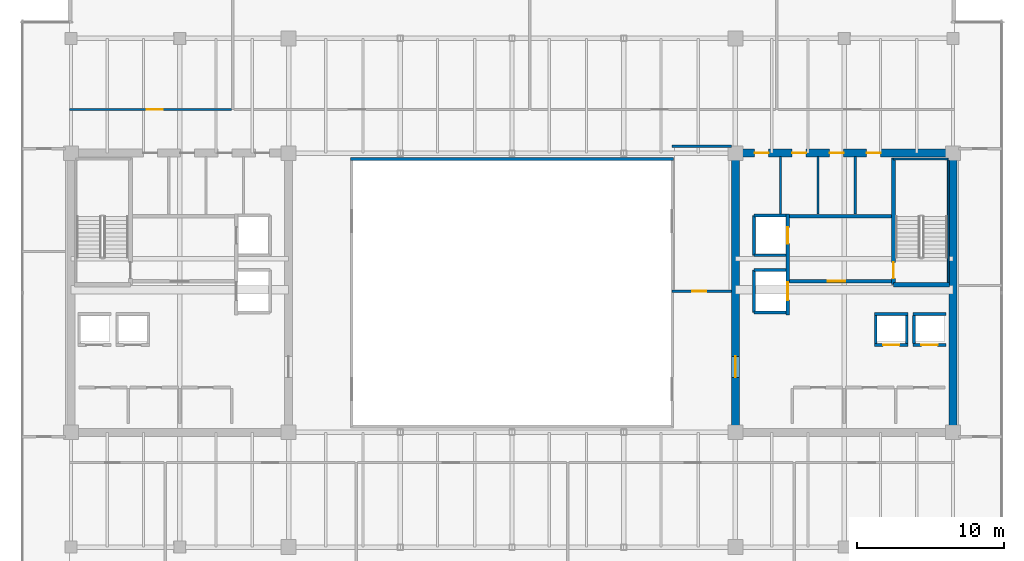
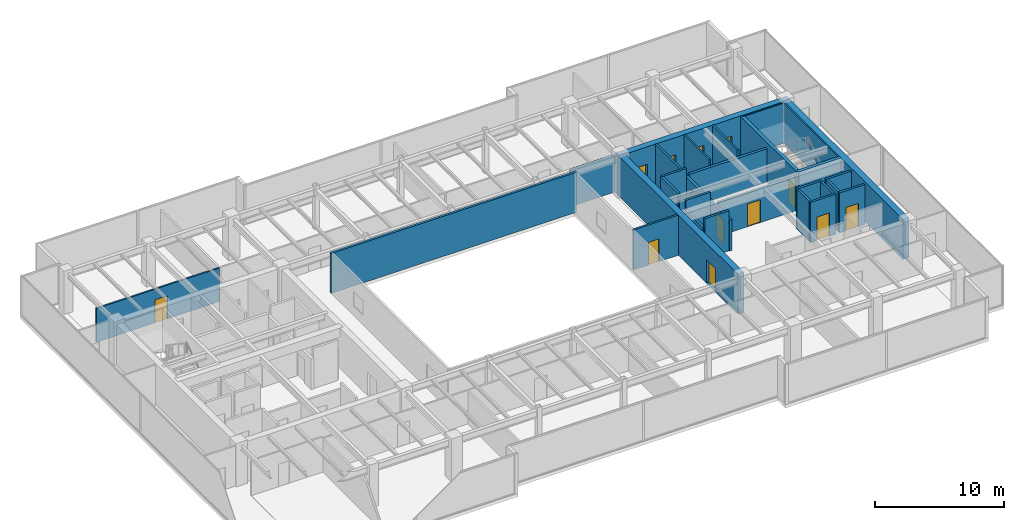
# One storey, part 30 of 35: 30 walls, 13 doors, 13 openings.
"""IFC4 building model written with IfcOpenShell, lengths in metres."""

from ifc_helpers import new_model, si_unit, direction, frame, frame_2d, origin, place, context, subcontext, project, spatial, rectangle, extrude, source, transform, mapped, material, layer, layer_set, type_object, type_shapes, element, fill, save


model = new_model("IFC4")

# Units and contexts
model_context = context("Model", 3, precision=1e-05, world=origin(), true_north=direction((0.0, 1.0)))
body_context = subcontext(model_context, "Body", "Model", "MODEL_VIEW")
ifc_project = project(units=[si_unit("LENGTHUNIT", "METRE"), si_unit("AREAUNIT", "SQUARE_METRE"), si_unit("VOLUMEUNIT", "CUBIC_METRE"), si_unit("PLANEANGLEUNIT", "RADIAN"), si_unit("MASSUNIT", "GRAM", prefix="KILO")], contexts=[model_context])

# Site, building, storey
site_placement = place(None, origin())
site = spatial("IfcSite", under=ifc_project, at=site_placement, CompositionType="ELEMENT")
building_placement = place(site_placement, origin())
building = spatial("IfcBuilding", under=site, at=building_placement, Name="Haelvirn Gate Laboratories", CompositionType="ELEMENT")
storey_placement = place(building_placement, frame((0.0, 0.0, 226.0)))
storey = spatial("IfcBuildingStorey", under=building, at=storey_placement, Name="L54", CompositionType="ELEMENT", Elevation=226.0)

# Wall
ifc_material_1 = material(Name="Fire-rated acoustic gypsum board partition", Category="gypsum")
ifc_layer_1 = layer(ifc_material_1, 0.175048828125, Name="IW-ACOUST-180")
ifc_layer_set_1 = layer_set([ifc_layer_1], Name="Fire-rated acoustic gypsum board partition")
wall_type_1 = type_object("IfcWallType", Name="IW-ACOUST-180", PredefinedType="PARTITIONING", material=ifc_layer_set_1)
wall_1_placement = place(storey_placement, frame((48.300048828125, 34.260009765625, 0.0), z_axis=(0.0, 0.0, 1.0), x_axis=(1.0, 0.0, 0.0)))
element("IfcWall", 1, at=wall_1_placement, inside=storey, type_object=wall_type_1, Name="L54 Interior Wall IW-L54-EPOD-N", PredefinedType="PARTITIONING", context=body_context, shape_type="SweptSolid", body=[
    extrude(rectangle(XDim=4.02490234375, YDim=0.175048828125, at=frame_2d((2.012451171875, 0.0))), origin(), (0.0, 0.0, 1.0), 3.485107421875),
])

# Wall, opening, door
wall_2_placement = place(storey_placement, frame((48.300048828125, 24.39990234375, 0.0), z_axis=(0.0, 0.0, 1.0), x_axis=(1.0, 0.0, 0.0)))
wall_2 = element("IfcWall", 2, at=wall_2_placement, inside=storey, type_object=wall_type_1, Name="L54 Interior Wall IW-L54-EPOD-S", PredefinedType="PARTITIONING", context=body_context, shape_type="SweptSolid", body=[
    extrude(rectangle(XDim=4.02490234375, YDim=0.175048828125, at=frame_2d((2.012451171875, 0.0))), origin(), (0.0, 0.0, 1.0), 3.800048828125),
])
opening_1_placement = place(wall_2_placement, frame((1.35009765625, 0.0, 0.0)))
opening_1 = element("IfcOpeningElement", 3, at=opening_1_placement, cuts=wall_2, Name="Opening FD4", PredefinedType="OPENING", context=body_context, shape_type="SweptSolid", body=[
    extrude(rectangle(XDim=0.949951171875, YDim=2.14990234375, at=frame_2d((0.47509765625, 1.074951171875))), frame((0.0, 0.09765625, 0.0), z_axis=(0.0, -1.0, 0.0), x_axis=(1.0, 0.0, 0.0)), (0.0, 0.0, 1.0), 0.195068359375),
])
ifc_material_2 = material(Name="Fire-rated steel SM355 core service door", Category="steel")
door_type_1 = type_object("IfcDoorType", Name="DR-FD-950", OperationType="NOTDEFINED", PredefinedType="DOOR", material=ifc_material_2)
shared_shape_1 = source(origin(), body_context, "Body", "SweptSolid", [
    extrude(rectangle(XDim=0.949951171875, YDim=2.14990234375, at=frame_2d((0.47509765625, 1.074951171875))), frame((0.0, 0.02490234375, 0.0), z_axis=(0.0, -1.0, 0.0), x_axis=(1.0, 0.0, 0.0)), (0.0, 0.0, 1.0), 0.050048828125),
])
type_shapes(door_type_1, [shared_shape_1])
door_1_placement = place(opening_1_placement, origin())
door_1 = element("IfcDoor", 4, at=door_1_placement, inside=storey, type_object=door_type_1, Name="L54 High-Zone Collaboration Suite Door", OperationType="SINGLE_SWING_LEFT", OverallHeight=2.14990234375, OverallWidth=0.949951171875, PredefinedType="DOOR", context=body_context, shape_type="MappedRepresentation", body=[
    mapped(shared_shape_1, transform((0.0, 0.0, 0.0), scale=1.0)),
])
fill(opening_1, door_1)

# Wall
ifc_material_3 = material(Name="Tempered fire-rated borosilicate glass & anodised aluminium", Category="aluminium")
ifc_layer_2 = layer(ifc_material_3, 0.195068359375, Name="IW-GLAZ-200")
ifc_layer_set_2 = layer_set([ifc_layer_2], Name="Tempered fire-rated borosilicate glass & anodised aluminium")
wall_type_2 = type_object("IfcWallType", Name="IW-GLAZ-200", PredefinedType="SOLIDWALL", material=ifc_layer_set_2)
wall_3_placement = place(storey_placement, frame((26.39990234375, 33.39990234375, 0.0), z_axis=(0.0, 0.0, 1.0), x_axis=(1.0, 0.0, 0.0)))
element("IfcWall", 5, at=wall_3_placement, inside=storey, type_object=wall_type_2, Name="L54 Interior Wall IW-L54-ATRIUM-N", PredefinedType="SOLIDWALL", context=body_context, shape_type="SweptSolid", body=[
    extrude(rectangle(XDim=22.0, YDim=0.195068359375, at=frame_2d((11.0, 0.0))), origin(), (0.0, 0.0, 1.0), 3.800048828125),
])

# Wall, opening, door
ifc_material_4 = material(Name="Acoustic mineral-wool gypsum board partition", Category="gypsum")
ifc_layer_3 = layer(ifc_material_4, 0.139892578125, Name="IW-PART-140")
ifc_layer_set_3 = layer_set([ifc_layer_3], Name="Acoustic mineral-wool gypsum board partition")
wall_type_3 = type_object("IfcWallType", Name="IW-PART-140", PredefinedType="PARTITIONING", material=ifc_layer_set_3)
wall_4_placement = place(storey_placement, frame((7.31005859375, 36.760009765625, 0.0), z_axis=(0.0, 0.0, 1.0), x_axis=(1.0, 0.0, 0.0)))
wall_4 = element("IfcWall", 6, at=wall_4_placement, inside=storey, type_object=wall_type_3, Name="L54 Interior Wall IW-L54-NCORR-01", PredefinedType="PARTITIONING", context=body_context, shape_type="SweptSolid", body=[
    extrude(rectangle(XDim=11.010009765625, YDim=0.139892578125, at=frame_2d((5.5048828125, 0.0))), origin(), (0.0, 0.0, 1.0), 3.197021484375),
])
opening_2_placement = place(wall_4_placement, frame((5.231201171875, 0.0, 0.0)))
opening_2 = element("IfcOpeningElement", 7, at=opening_2_placement, cuts=wall_4, Name="Opening D1", PredefinedType="OPENING", context=body_context, shape_type="SweptSolid", body=[
    extrude(rectangle(XDim=1.10009765625, YDim=2.179931640625, at=frame_2d((0.550048828125, 1.08984375))), frame((0.0, 0.080078125, 0.0), z_axis=(0.0, -1.0, 0.0), x_axis=(1.0, 0.0, 0.0)), (0.0, 0.0, 1.0), 0.159912109375),
])
ifc_material_5 = material(Name="Vision-panel acoustic solid-core timber lab door", Category="wood")
door_type_2 = type_object("IfcDoorType", Name="DR-LAB-1100", OperationType="NOTDEFINED", PredefinedType="DOOR", material=ifc_material_5)
shared_shape_2 = source(origin(), body_context, "Body", "SweptSolid", [
    extrude(rectangle(XDim=1.10009765625, YDim=2.179931640625, at=frame_2d((0.550048828125, 1.08984375))), frame((0.0, 0.02490234375, 0.0), z_axis=(0.0, -1.0, 0.0), x_axis=(1.0, 0.0, 0.0)), (0.0, 0.0, 1.0), 0.050048828125),
])
type_shapes(door_type_2, [shared_shape_2])
door_2_placement = place(opening_2_placement, origin())
door_2 = element("IfcDoor", 8, at=door_2_placement, inside=storey, type_object=door_type_2, Name="L54 Colloquium Conference Room Door N1", OperationType="SINGLE_SWING_RIGHT", OverallHeight=2.179931640625, OverallWidth=1.10009765625, PredefinedType="DOOR", context=body_context, shape_type="MappedRepresentation", body=[
    mapped(shared_shape_2, transform((0.0, 0.0, 0.0), scale=1.0)),
])
fill(opening_2, door_2)

# Walls
ifc_material_6 = material(Name="Cement-board restroom plumbing chase wall", Category="gypsum")
ifc_layer_4 = layer(ifc_material_6, 0.155029296875, Name="IW-PLUMB-160")
ifc_layer_set_4 = layer_set([ifc_layer_4], Name="Cement-board restroom plumbing chase wall")
wall_type_4 = type_object("IfcWallType", Name="IW-PLUMB-160", PredefinedType="PLUMBINGWALL", material=ifc_layer_set_4)
for number, where, z_axis, x_axis, name in (
    (9, (60.760009765625, 29.64990234375, 0.0), (0.0, 0.0, 1.0), (0.0, 1.0, 0.0), "L54 Interior Wall IW-L54-E-CDIV-1"),
    (10, (58.2099609375, 29.64990234375, 0.0), (0.0, 0.0, 1.0), (0.0, 1.0, 0.0), "L54 Interior Wall IW-L54-E-CDIV-2"),
    (11, (55.659912109375, 29.64990234375, 0.0), (0.0, 0.0, 1.0), (0.0, 1.0, 0.0), "L54 Interior Wall IW-L54-E-CDIV-3"),
):
    element("IfcWall", number, at=place(storey_placement, frame(where, z_axis=z_axis, x_axis=x_axis)), inside=storey, type_object=wall_type_4, Name=name, PredefinedType="PLUMBINGWALL", context=body_context, shape_type="SweptSolid", body=[
        extrude(rectangle(XDim=3.93017578125, YDim=0.155029296875, at=frame_2d((1.965087890625, 0.0))), origin(), (0.0, 0.0, 1.0), 3.800048828125),
    ])
ifc_material_7 = material(Name="Concrete C40/50", Category="concrete")
ifc_layer_5 = layer(ifc_material_7, 0.179931640625, Name="IW-SHAFT-180")
ifc_layer_set_5 = layer_set([ifc_layer_5], Name="Concrete C40/50")
wall_type_5 = type_object("IfcWallType", Name="IW-SHAFT-180", PredefinedType="SOLIDWALL", material=ifc_layer_set_5)
for number, where, z_axis, x_axis, name in (
    (12, (64.75, 20.85009765625, 0.0), (0.0, 0.0, 1.0), (0.0, 1.0, 0.0), "L54 Interior Wall IW-L54-PL11-SD"),
    (13, (62.14990234375, 20.85009765625, 0.0), (0.0, 0.0, 1.0), (0.0, 1.0, 0.0), "L54 Interior Wall IW-L54-PL12-SD"),
    (14, (64.25, 20.85009765625, 0.0), (0.0, 0.0, 1.0), (0.0, 1.0, 0.0), "L54 Interior Wall IW-L54-PL12-SDE"),
):
    element("IfcWall", number, at=place(storey_placement, frame(where, z_axis=z_axis, x_axis=x_axis)), inside=storey, type_object=wall_type_5, Name=name, PredefinedType="SOLIDWALL", context=body_context, shape_type="SweptSolid", body=[
        extrude(rectangle(XDim=1.89990234375, YDim=0.179931640625, at=frame_2d((0.949951171875, 0.0))), origin(), (0.0, 0.0, 1.0), 3.800048828125),
    ])

# Wall, opening, door
ifc_layer_6 = layer(ifc_material_7, 0.199951171875, Name="IW-SHAFT-200")
ifc_layer_set_6 = layer_set([ifc_layer_6], Name="Concrete C40/50")
wall_type_6 = type_object("IfcWallType", Name="IW-SHAFT-200", PredefinedType="SOLIDWALL", material=ifc_layer_set_6)
wall_5_placement = place(storey_placement, frame((64.669921875, 20.75, 0.0), z_axis=(0.0, 0.0, 1.0), x_axis=(1.0, 0.0, 0.0)))
wall_5 = element("IfcWall", 15, at=wall_5_placement, inside=storey, type_object=wall_type_6, Name="L54 Interior Wall IW-L54-PL11-FR", PredefinedType="SOLIDWALL", context=body_context, shape_type="SweptSolid", body=[
    extrude(rectangle(XDim=2.260009765625, YDim=0.199951171875, at=frame_2d((1.1298828125, 0.0))), origin(), (0.0, 0.0, 1.0), 3.800048828125),
])
opening_3_placement = place(wall_5_placement, frame((0.580078125, 0.0, 0.0)))
opening_3 = element("IfcOpeningElement", 16, at=opening_3_placement, cuts=wall_5, Name="Opening LD2", PredefinedType="OPENING", context=body_context, shape_type="SweptSolid", body=[
    extrude(rectangle(XDim=1.10009765625, YDim=2.219970703125, at=frame_2d((0.550048828125, 1.10986328125))), frame((0.0, 0.10986328125, 0.0), z_axis=(0.0, -1.0, 0.0), x_axis=(1.0, 0.0, 0.0)), (0.0, 0.0, 1.0), 0.219970703125),
])
ifc_material_8 = material(Name="Bronze stainless 316L sliding lift landing door")
door_type_3 = type_object("IfcDoorType", Name="DR-LD-1100", OperationType="NOTDEFINED", PredefinedType="USERDEFINED", material=ifc_material_8)
shared_shape_3 = source(origin(), body_context, "Body", "SweptSolid", [
    extrude(rectangle(XDim=1.10009765625, YDim=2.219970703125, at=frame_2d((0.550048828125, 1.10986328125))), frame((0.0, 0.02490234375, 0.0), z_axis=(0.0, -1.0, 0.0), x_axis=(1.0, 0.0, 0.0)), (0.0, 0.0, 1.0), 0.050048828125),
])
type_shapes(door_type_3, [shared_shape_3])
door_3_placement = place(opening_3_placement, origin())
door_3 = element("IfcDoor", 17, at=door_3_placement, inside=storey, type_object=door_type_3, Name="L54 Passenger Lift PL11 Landing Door", ObjectType="LANDING_DOOR", OperationType="SLIDING_TO_LEFT", OverallHeight=2.219970703125, OverallWidth=1.10009765625, PredefinedType="USERDEFINED", context=body_context, shape_type="MappedRepresentation", body=[
    mapped(shared_shape_3, transform((0.0, 0.0, 0.0), scale=1.0)),
])
fill(opening_3, door_3)

# Wall
wall_6_placement = place(storey_placement, frame((64.669921875, 22.85009765625, 0.0), z_axis=(0.0, 0.0, 1.0), x_axis=(1.0, 0.0, 0.0)))
element("IfcWall", 18, at=wall_6_placement, inside=storey, type_object=wall_type_6, Name="L54 Interior Wall IW-L54-PL11-BK", PredefinedType="SOLIDWALL", context=body_context, shape_type="SweptSolid", body=[
    extrude(rectangle(XDim=2.260009765625, YDim=0.199951171875, at=frame_2d((1.1298828125, 0.0))), origin(), (0.0, 0.0, 1.0), 3.800048828125),
])

# Wall, opening, door
wall_7_placement = place(storey_placement, frame((62.070068359375, 20.75, 0.0), z_axis=(0.0, 0.0, 1.0), x_axis=(1.0, 0.0, 0.0)))
wall_7 = element("IfcWall", 19, at=wall_7_placement, inside=storey, type_object=wall_type_6, Name="L54 Interior Wall IW-L54-PL12-FR", PredefinedType="SOLIDWALL", context=body_context, shape_type="SweptSolid", body=[
    extrude(rectangle(XDim=2.260009765625, YDim=0.199951171875, at=frame_2d((1.1298828125, 0.0))), origin(), (0.0, 0.0, 1.0), 3.800048828125),
])
opening_4_placement = place(wall_7_placement, frame((0.580078125, 0.0, 0.0)))
opening_4 = element("IfcOpeningElement", 20, at=opening_4_placement, cuts=wall_7, Name="Opening LD2", PredefinedType="OPENING", context=body_context, shape_type="SweptSolid", body=[
    extrude(rectangle(XDim=1.10009765625, YDim=2.219970703125, at=frame_2d((0.550048828125, 1.10986328125))), frame((0.0, 0.10986328125, 0.0), z_axis=(0.0, -1.0, 0.0), x_axis=(1.0, 0.0, 0.0)), (0.0, 0.0, 1.0), 0.219970703125),
])
door_4_placement = place(opening_4_placement, origin())
door_4 = element("IfcDoor", 21, at=door_4_placement, inside=storey, type_object=door_type_3, Name="L54 Passenger Lift PL12 Landing Door", ObjectType="LANDING_DOOR", OperationType="SLIDING_TO_RIGHT", OverallHeight=2.219970703125, OverallWidth=1.10009765625, PredefinedType="USERDEFINED", context=body_context, shape_type="MappedRepresentation", body=[
    mapped(shared_shape_3, transform((0.0, 0.0, 0.0), scale=1.0)),
])
fill(opening_4, door_4)

# Walls
wall_8_placement = place(storey_placement, frame((62.070068359375, 22.85009765625, 0.0), z_axis=(0.0, 0.0, 1.0), x_axis=(1.0, 0.0, 0.0)))
element("IfcWall", 22, at=wall_8_placement, inside=storey, type_object=wall_type_6, Name="L54 Interior Wall IW-L54-PL12-BK", PredefinedType="SOLIDWALL", context=body_context, shape_type="SweptSolid", body=[
    extrude(rectangle(XDim=2.260009765625, YDim=0.199951171875, at=frame_2d((1.1298828125, 0.0))), origin(), (0.0, 0.0, 1.0), 3.800048828125),
])
wall_9_placement = place(storey_placement, frame((53.85009765625, 26.85009765625, 0.0), z_axis=(0.0, 0.0, 1.0), x_axis=(0.0, 1.0, 0.0)))
element("IfcWall", 23, at=wall_9_placement, inside=storey, type_object=wall_type_6, Name="L54 Interior Wall IW-L54-FL2-BK", PredefinedType="SOLIDWALL", context=body_context, shape_type="SweptSolid", body=[
    extrude(rectangle(XDim=2.699951171875, YDim=0.199951171875, at=frame_2d((1.35009765625, 0.0))), origin(), (0.0, 0.0, 1.0), 3.800048828125),
])
wall_10_placement = place(storey_placement, frame((53.85009765625, 29.550048828125, 0.0), z_axis=(0.0, 0.0, 1.0), x_axis=(1.0, 0.0, 0.0)))
element("IfcWall", 24, at=wall_10_placement, inside=storey, type_object=wall_type_6, Name="L54 Interior Wall IW-L54-FL2-N", PredefinedType="SOLIDWALL", context=body_context, shape_type="SweptSolid", body=[
    extrude(rectangle(XDim=2.18994140625, YDim=0.199951171875, at=frame_2d((1.094970703125, 0.0))), origin(), (0.0, 0.0, 1.0), 3.800048828125),
])
wall_11_placement = place(storey_placement, frame((53.85009765625, 26.85009765625, 0.0), z_axis=(0.0, 0.0, 1.0), x_axis=(1.0, 0.0, 0.0)))
element("IfcWall", 25, at=wall_11_placement, inside=storey, type_object=wall_type_6, Name="L54 Interior Wall IW-L54-FL2-S", PredefinedType="SOLIDWALL", context=body_context, shape_type="SweptSolid", body=[
    extrude(rectangle(XDim=2.18994140625, YDim=0.199951171875, at=frame_2d((1.094970703125, 0.0))), origin(), (0.0, 0.0, 1.0), 3.197021484375),
])
wall_12_placement = place(storey_placement, frame((53.85009765625, 22.949951171875, 0.0), z_axis=(0.0, 0.0, 1.0), x_axis=(0.0, 1.0, 0.0)))
element("IfcWall", 26, at=wall_12_placement, inside=storey, type_object=wall_type_6, Name="L54 Interior Wall IW-L54-SL2-BK", PredefinedType="SOLIDWALL", context=body_context, shape_type="SweptSolid", body=[
    extrude(rectangle(XDim=2.900146484375, YDim=0.199951171875, at=frame_2d((1.4501953125, 0.0))), origin(), (0.0, 0.0, 1.0), 2.93505859375),
])
for number, where, z_axis, x_axis, name in (
    (27, (53.85009765625, 25.85009765625, 0.0), (0.0, 0.0, 1.0), (1.0, 0.0, 0.0), "L54 Interior Wall IW-L54-SL2-N"),
    (28, (53.85009765625, 22.949951171875, 0.0), (0.0, 0.0, 1.0), (1.0, 0.0, 0.0), "L54 Interior Wall IW-L54-SL2-S"),
):
    element("IfcWall", number, at=place(storey_placement, frame(where, z_axis=z_axis, x_axis=x_axis)), inside=storey, type_object=wall_type_6, Name=name, PredefinedType="SOLIDWALL", context=body_context, shape_type="SweptSolid", body=[
        extrude(rectangle(XDim=2.18994140625, YDim=0.199951171875, at=frame_2d((1.094970703125, 0.0))), origin(), (0.0, 0.0, 1.0), 3.800048828125),
    ])

# Wall, opening, door
ifc_layer_7 = layer(ifc_material_7, 0.239990234375, Name="IW-SHAFT-240")
ifc_layer_set_7 = layer_set([ifc_layer_7], Name="Concrete C40/50")
wall_type_7 = type_object("IfcWallType", Name="IW-SHAFT-240", PredefinedType="SOLIDWALL", material=ifc_layer_set_7)
wall_13_placement = place(storey_placement, frame((56.280029296875, 25.080078125, 0.0), z_axis=(0.0, 0.0, 1.0), x_axis=(1.0, 0.0, 0.0)))
wall_13 = element("IfcWall", 29, at=wall_13_placement, inside=storey, type_object=wall_type_7, Name="L54 Interior Wall IW-L54-E-FF-S", PredefinedType="SOLIDWALL", context=body_context, shape_type="SweptSolid", body=[
    extrude(rectangle(XDim=6.919921875, YDim=0.239990234375, at=frame_2d((3.4599609375, 0.0))), origin(), (0.0, 0.0, 1.0), 3.197021484375),
])
opening_5_placement = place(wall_13_placement, frame((2.60009765625, 0.0, 0.0)))
opening_5 = element("IfcOpeningElement", 30, at=opening_5_placement, cuts=wall_13, Name="Opening FD2", PredefinedType="OPENING", context=body_context, shape_type="SweptSolid", body=[
    extrude(rectangle(XDim=1.199951171875, YDim=2.159912109375, at=frame_2d((0.60009765625, 1.080078125))), frame((0.0, 0.1298828125, 0.0), z_axis=(0.0, -1.0, 0.0), x_axis=(1.0, 0.0, 0.0)), (0.0, 0.0, 1.0), 0.260009765625),
])
ifc_material_9 = material(Name="Fire-rated steel SM355 compartment door", Category="steel")
door_type_4 = type_object("IfcDoorType", Name="DR-FD-1200", OperationType="NOTDEFINED", PredefinedType="DOOR", material=ifc_material_9)
shared_shape_4 = source(origin(), body_context, "Body", "SweptSolid", [
    extrude(rectangle(XDim=1.199951171875, YDim=2.159912109375, at=frame_2d((0.60009765625, 1.080078125))), frame((0.0, 0.02490234375, 0.0), z_axis=(0.0, -1.0, 0.0), x_axis=(1.0, 0.0, 0.0)), (0.0, 0.0, 1.0), 0.050048828125),
])
type_shapes(door_type_4, [shared_shape_4])
door_5_placement = place(opening_5_placement, origin())
door_5 = element("IfcDoor", 31, at=door_5_placement, inside=storey, type_object=door_type_4, Name="L54 East Firefighting Lobby Door", OperationType="SINGLE_SWING_LEFT", OverallHeight=2.159912109375, OverallWidth=1.199951171875, PredefinedType="DOOR", context=body_context, shape_type="MappedRepresentation", body=[
    mapped(shared_shape_4, transform((0.0, 0.0, 0.0), scale=1.0)),
])
fill(opening_5, door_5)

# Wall
wall_14_placement = place(storey_placement, frame((56.280029296875, 29.52001953125, 0.0), z_axis=(0.0, 0.0, 1.0), x_axis=(1.0, 0.0, 0.0)))
element("IfcWall", 32, at=wall_14_placement, inside=storey, type_object=wall_type_7, Name="L54 Interior Wall IW-L54-E-FF-N", PredefinedType="SOLIDWALL", context=body_context, shape_type="SweptSolid", body=[
    extrude(rectangle(XDim=6.919921875, YDim=0.239990234375, at=frame_2d((3.4599609375, 0.0))), origin(), (0.0, 0.0, 1.0), 3.197021484375),
])

# Wall, openings, doors
wall_15_placement = place(storey_placement, frame((56.159912109375, 22.800048828125, 0.0), z_axis=(0.0, 0.0, 1.0), x_axis=(0.0, 1.0, 0.0)))
wall_15 = element("IfcWall", 33, at=wall_15_placement, inside=storey, type_object=wall_type_7, Name="L54 Interior Wall IW-L54-E-FF-E", PredefinedType="SOLIDWALL", context=body_context, shape_type="SweptSolid", body=[
    extrude(rectangle(XDim=6.849853515625, YDim=0.239990234375, at=frame_2d((3.4248046875, 0.0))), origin(), (0.0, 0.0, 1.0), 2.93505859375),
])
opening_6_placement = place(wall_15_placement, frame((4.85009765625, 0.0, 0.0)))
opening_6 = element("IfcOpeningElement", 34, at=opening_6_placement, cuts=wall_15, Name="Opening LD2", PredefinedType="OPENING", context=body_context, shape_type="SweptSolid", body=[
    extrude(rectangle(XDim=1.10009765625, YDim=2.219970703125, at=frame_2d((0.550048828125, 1.10986328125))), frame((0.0, 0.1298828125, 0.0), z_axis=(0.0, -1.0, 0.0), x_axis=(1.0, 0.0, 0.0)), (0.0, 0.0, 1.0), 0.260009765625),
])
opening_7_placement = place(wall_15_placement, frame((1.0, 0.0, 0.0)))
opening_7 = element("IfcOpeningElement", 35, at=opening_7_placement, cuts=wall_15, Name="Opening LD1", PredefinedType="OPENING", context=body_context, shape_type="SweptSolid", body=[
    extrude(rectangle(XDim=1.199951171875, YDim=2.219970703125, at=frame_2d((0.60009765625, 1.10986328125))), frame((0.0, 0.1298828125, 0.0), z_axis=(0.0, -1.0, 0.0), x_axis=(1.0, 0.0, 0.0)), (0.0, 0.0, 1.0), 0.260009765625),
])
door_6_placement = place(opening_6_placement, origin())
door_6 = element("IfcDoor", 36, at=door_6_placement, inside=storey, type_object=door_type_3, Name="L54 Firefighting Lift FL2 Landing Door", ObjectType="LANDING_DOOR", OperationType="SLIDING_TO_RIGHT", OverallHeight=2.219970703125, OverallWidth=1.10009765625, PredefinedType="USERDEFINED", context=body_context, shape_type="MappedRepresentation", body=[
    mapped(shared_shape_3, transform((0.0, 0.0, 0.0), scale=1.0)),
])
fill(opening_6, door_6)
ifc_material_10 = material(Name="Stainless steel 316L sliding goods landing door", Category="steel")
door_type_5 = type_object("IfcDoorType", Name="DR-LD-1200", OperationType="NOTDEFINED", PredefinedType="USERDEFINED", material=ifc_material_10)
shared_shape_5 = source(origin(), body_context, "Body", "SweptSolid", [
    extrude(rectangle(XDim=1.199951171875, YDim=2.219970703125, at=frame_2d((0.60009765625, 1.10986328125))), frame((0.0, 0.02490234375, 0.0), z_axis=(0.0, -1.0, 0.0), x_axis=(1.0, 0.0, 0.0)), (0.0, 0.0, 1.0), 0.050048828125),
])
type_shapes(door_type_5, [shared_shape_5])
door_7_placement = place(opening_7_placement, origin())
door_7 = element("IfcDoor", 37, at=door_7_placement, inside=storey, type_object=door_type_5, Name="L54 Service Lift SL2 Landing Door", ObjectType="LANDING_DOOR", OperationType="SLIDING_TO_LEFT", OverallHeight=2.219970703125, OverallWidth=1.199951171875, PredefinedType="USERDEFINED", context=body_context, shape_type="MappedRepresentation", body=[
    mapped(shared_shape_5, transform((0.0, 0.0, 0.0), scale=1.0)),
])
fill(opening_7, door_7)

ifc_material_11 = material(Name="Concrete C50/60", Category="concrete")
ifc_layer_8 = layer(ifc_material_11, 0.550048828125, Name="SW-CORE-550")
ifc_layer_set_8 = layer_set([ifc_layer_8], Name="Concrete C50/60")
wall_type_8 = type_object("IfcWallType", Name="SW-CORE-550", PredefinedType="SHEAR", material=ifc_layer_set_8)
wall_16_placement = place(storey_placement, frame((52.324951171875, 33.800048828125, 0.0), z_axis=(0.0, 0.0, 1.0), x_axis=(1.0, 0.0, 0.0)))
wall_16 = element("IfcWall", 38, at=wall_16_placement, inside=storey, type_object=wall_type_8, Name="L54 E Core Shear Wall N", PredefinedType="SHEAR", context=body_context, shape_type="SweptSolid", body=[
    extrude(rectangle(XDim=15.35009765625, YDim=0.550048828125, at=frame_2d((7.675048828125, 0.0))), origin(), (0.0, 0.0, 1.0), 3.800048828125),
])
opening_8_placement = place(wall_16_placement, frame((9.199951171875, 0.0, 0.0)))
opening_8 = element("IfcOpeningElement", 39, at=opening_8_placement, cuts=wall_16, Name="Opening FD4", PredefinedType="OPENING", context=body_context, shape_type="SweptSolid", body=[
    extrude(rectangle(XDim=0.949951171875, YDim=2.14990234375, at=frame_2d((0.47509765625, 1.074951171875))), frame((0.0, 0.28515625, 0.0), z_axis=(0.0, -1.0, 0.0), x_axis=(1.0, 0.0, 0.0)), (0.0, 0.0, 1.0), 0.570068359375),
])
opening_9_placement = place(wall_16_placement, frame((6.68505859375, 0.0, 0.0)))
opening_9 = element("IfcOpeningElement", 40, at=opening_9_placement, cuts=wall_16, Name="Opening FD4", PredefinedType="OPENING", context=body_context, shape_type="SweptSolid", body=[
    extrude(rectangle(XDim=0.949951171875, YDim=2.14990234375, at=frame_2d((0.47509765625, 1.074951171875))), frame((0.0, 0.28515625, 0.0), z_axis=(0.0, -1.0, 0.0), x_axis=(1.0, 0.0, 0.0)), (0.0, 0.0, 1.0), 0.570068359375),
])
opening_10_placement = place(wall_16_placement, frame((4.135009765625, 0.0, 0.0)))
opening_10 = element("IfcOpeningElement", 41, at=opening_10_placement, cuts=wall_16, Name="Opening FD4", PredefinedType="OPENING", context=body_context, shape_type="SweptSolid", body=[
    extrude(rectangle(XDim=0.949951171875, YDim=2.14990234375, at=frame_2d((0.47509765625, 1.074951171875))), frame((0.0, 0.28515625, 0.0), z_axis=(0.0, -1.0, 0.0), x_axis=(1.0, 0.0, 0.0)), (0.0, 0.0, 1.0), 0.570068359375),
])
opening_11_placement = place(wall_16_placement, frame((1.5849609375, 0.0, 0.0)))
opening_11 = element("IfcOpeningElement", 42, at=opening_11_placement, cuts=wall_16, Name="Opening FD4", PredefinedType="OPENING", context=body_context, shape_type="SweptSolid", body=[
    extrude(rectangle(XDim=0.949951171875, YDim=2.14990234375, at=frame_2d((0.47509765625, 1.074951171875))), frame((0.0, 0.28515625, 0.0), z_axis=(0.0, -1.0, 0.0), x_axis=(1.0, 0.0, 0.0)), (0.0, 0.0, 1.0), 0.570068359375),
])
door_8_placement = place(opening_8_placement, origin())
door_8 = element("IfcDoor", 43, at=door_8_placement, inside=storey, type_object=door_type_1, Name="L54 Male Restroom Fire Door", OperationType="SINGLE_SWING_LEFT", OverallHeight=2.14990234375, OverallWidth=0.949951171875, PredefinedType="DOOR", context=body_context, shape_type="MappedRepresentation", body=[
    mapped(shared_shape_1, transform((0.0, 0.0, 0.0), scale=1.0)),
])
fill(opening_8, door_8)
door_9_placement = place(opening_9_placement, origin())
door_9 = element("IfcDoor", 44, at=door_9_placement, inside=storey, type_object=door_type_1, Name="L54 Female Restroom Fire Door", OperationType="SINGLE_SWING_RIGHT", OverallHeight=2.14990234375, OverallWidth=0.949951171875, PredefinedType="DOOR", context=body_context, shape_type="MappedRepresentation", body=[
    mapped(shared_shape_1, transform((0.0, 0.0, 0.0), scale=1.0)),
])
fill(opening_9, door_9)
door_10_placement = place(opening_10_placement, origin())
door_10 = element("IfcDoor", 45, at=door_10_placement, inside=storey, type_object=door_type_1, Name="L54 Accessible Restroom Fire Door", OperationType="SINGLE_SWING_LEFT", OverallHeight=2.14990234375, OverallWidth=0.949951171875, PredefinedType="DOOR", context=body_context, shape_type="MappedRepresentation", body=[
    mapped(shared_shape_1, transform((0.0, 0.0, 0.0), scale=1.0)),
])
fill(opening_10, door_10)
door_11_placement = place(opening_11_placement, origin())
door_11 = element("IfcDoor", 46, at=door_11_placement, inside=storey, type_object=door_type_1, Name="L54 Decontamination Shower Washroom Fire Door", OperationType="SINGLE_SWING_RIGHT", OverallHeight=2.14990234375, OverallWidth=0.949951171875, PredefinedType="DOOR", context=body_context, shape_type="MappedRepresentation", body=[
    mapped(shared_shape_1, transform((0.0, 0.0, 0.0), scale=1.0)),
])
fill(opening_11, door_11)

# Wall, opening, door
wall_17_placement = place(storey_placement, frame((52.60009765625, 15.074951171875, 0.0), z_axis=(0.0, 0.0, 1.0), x_axis=(0.0, 1.0, 0.0)))
wall_17 = element("IfcWall", 47, at=wall_17_placement, inside=storey, type_object=wall_type_8, Name="L54 E Core Shear Wall W", PredefinedType="SHEAR", context=body_context, shape_type="SweptSolid", body=[
    extrude(rectangle(XDim=18.449951171875, YDim=0.550048828125, at=frame_2d((9.22509765625, 0.0))), origin(), (0.0, 0.0, 1.0), 3.800048828125),
])
opening_12_placement = place(wall_17_placement, frame((3.47509765625, 0.0, 0.0)))
opening_12 = element("IfcOpeningElement", 48, at=opening_12_placement, cuts=wall_17, Name="Opening FD1", PredefinedType="OPENING", context=body_context, shape_type="SweptSolid", body=[
    extrude(rectangle(XDim=1.419921875, YDim=2.199951171875, at=frame_2d((0.7099609375, 1.10009765625))), frame((0.0, 0.28515625, 0.0), z_axis=(0.0, -1.0, 0.0), x_axis=(1.0, 0.0, 0.0)), (0.0, 0.0, 1.0), 0.570068359375),
])
ifc_material_12 = material(Name="Fire-rated double steel SM355 lobby door", Category="steel")
door_type_6 = type_object("IfcDoorType", Name="DR-FD-1400", OperationType="NOTDEFINED", PredefinedType="DOOR", material=ifc_material_12)
shared_shape_6 = source(origin(), body_context, "Body", "SweptSolid", [
    extrude(rectangle(XDim=1.419921875, YDim=2.199951171875, at=frame_2d((0.7099609375, 1.10009765625))), frame((0.0, 0.02490234375, 0.0), z_axis=(0.0, -1.0, 0.0), x_axis=(1.0, 0.0, 0.0)), (0.0, 0.0, 1.0), 0.050048828125),
])
type_shapes(door_type_6, [shared_shape_6])
door_12_placement = place(opening_12_placement, origin())
door_12 = element("IfcDoor", 49, at=door_12_placement, inside=storey, type_object=door_type_6, Name="L54 East Core Lift Lobby Fire Door", OperationType="DOUBLE_DOOR_SINGLE_SWING", OverallHeight=2.199951171875, OverallWidth=1.419921875, PredefinedType="DOOR", context=body_context, shape_type="MappedRepresentation", body=[
    mapped(shared_shape_6, transform((0.0, 0.0, 0.0), scale=1.0)),
])
fill(opening_12, door_12)

# Walls
wall_18_placement = place(storey_placement, frame((67.39990234375, 15.074951171875, 0.0), z_axis=(0.0, 0.0, 1.0), x_axis=(0.0, 1.0, 0.0)))
element("IfcWall", 50, at=wall_18_placement, inside=storey, type_object=wall_type_8, Name="L54 E Core Shear Wall E", PredefinedType="SHEAR", context=body_context, shape_type="SweptSolid", body=[
    extrude(rectangle(XDim=18.449951171875, YDim=0.550048828125, at=frame_2d((9.22509765625, 0.0))), origin(), (0.0, 0.0, 1.0), 3.800048828125),
])
ifc_layer_9 = layer(ifc_material_11, 0.1201171875, Name="SW-LINER-120")
ifc_layer_set_9 = layer_set([ifc_layer_9], Name="Concrete C50/60")
wall_type_9 = type_object("IfcWallType", Name="SW-LINER-120", PredefinedType="SOLIDWALL", material=ifc_layer_set_9)
wall_19_placement = place(storey_placement, frame((63.35009765625, 33.39990234375, 0.0), z_axis=(0.0, 0.0, 1.0), x_axis=(1.0, 0.0, 0.0)))
element("IfcWall", 51, at=wall_19_placement, inside=storey, type_object=wall_type_9, Name="L54 E Core Stair Shaft Liner Wall N", PredefinedType="SOLIDWALL", context=body_context, shape_type="SweptSolid", body=[
    extrude(rectangle(XDim=3.719970703125, YDim=0.1201171875, at=frame_2d((1.85986328125, 0.0))), origin(), (0.0, 0.0, 1.0), 3.800048828125),
])
wall_20_placement = place(storey_placement, frame((67.070068359375, 25.0, 0.0), z_axis=(0.0, 0.0, 1.0), x_axis=(0.0, 1.0, 0.0)))
element("IfcWall", 52, at=wall_20_placement, inside=storey, type_object=wall_type_9, Name="L54 E Core Stair Shaft Liner Wall OUT", PredefinedType="SOLIDWALL", context=body_context, shape_type="SweptSolid", body=[
    extrude(rectangle(XDim=8.320068359375, YDim=0.1201171875, at=frame_2d((4.16015625, 0.0))), origin(), (0.0, 0.0, 1.0), 3.800048828125),
])

# Wall, opening, door
ifc_layer_10 = layer(ifc_material_11, 0.300048828125, Name="SW-STAIR-300")
ifc_layer_set_10 = layer_set([ifc_layer_10], Name="Concrete C50/60")
wall_type_10 = type_object("IfcWallType", Name="SW-STAIR-300", PredefinedType="SHEAR", material=ifc_layer_set_10)
wall_21_placement = place(storey_placement, frame((63.35009765625, 24.85009765625, 0.0), z_axis=(0.0, 0.0, 1.0), x_axis=(0.0, 1.0, 0.0)))
wall_21 = element("IfcWall", 53, at=wall_21_placement, inside=storey, type_object=wall_type_10, Name="L54 E Core Stair Shaft Structural Wall IN", PredefinedType="SHEAR", context=body_context, shape_type="SweptSolid", body=[
    extrude(rectangle(XDim=8.6298828125, YDim=0.300048828125, at=frame_2d((4.31494140625, 0.0))), origin(), (0.0, 0.0, 1.0), 3.800048828125),
])
opening_13_placement = place(wall_21_placement, frame((0.419921875, 0.0, 0.0)))
opening_13 = element("IfcOpeningElement", 54, at=opening_13_placement, cuts=wall_21, Name="Opening FD3", PredefinedType="OPENING", context=body_context, shape_type="SweptSolid", body=[
    extrude(rectangle(XDim=1.10009765625, YDim=2.14990234375, at=frame_2d((0.550048828125, 1.074951171875))), frame((0.0, 0.16015625, 0.0), z_axis=(0.0, -1.0, 0.0), x_axis=(1.0, 0.0, 0.0)), (0.0, 0.0, 1.0), 0.320068359375),
])
ifc_material_13 = material(Name="Fire-rated steel SM355 escape stair door", Category="steel")
door_type_7 = type_object("IfcDoorType", Name="DR-FD-1100", OperationType="NOTDEFINED", PredefinedType="DOOR", material=ifc_material_13)
shared_shape_7 = source(origin(), body_context, "Body", "SweptSolid", [
    extrude(rectangle(XDim=1.10009765625, YDim=2.14990234375, at=frame_2d((0.550048828125, 1.074951171875))), frame((0.0, 0.02490234375, 0.0), z_axis=(0.0, -1.0, 0.0), x_axis=(1.0, 0.0, 0.0)), (0.0, 0.0, 1.0), 0.050048828125),
])
type_shapes(door_type_7, [shared_shape_7])
door_13_placement = place(opening_13_placement, origin())
door_13 = element("IfcDoor", 55, at=door_13_placement, inside=storey, type_object=door_type_7, Name="L54 Escape Stair ST2 Fire Door", OperationType="SINGLE_SWING_RIGHT", OverallHeight=2.14990234375, OverallWidth=1.10009765625, PredefinedType="DOOR", context=body_context, shape_type="MappedRepresentation", body=[
    mapped(shared_shape_7, transform((0.0, 0.0, 0.0), scale=1.0)),
])
fill(opening_13, door_13)

# Wall
wall_22_placement = place(storey_placement, frame((63.35009765625, 24.85009765625, 0.0), z_axis=(0.0, 0.0, 1.0), x_axis=(1.0, 0.0, 0.0)))
element("IfcWall", 56, at=wall_22_placement, inside=storey, type_object=wall_type_10, Name="L54 E Core Stair Shaft Structural Wall S", PredefinedType="SHEAR", context=body_context, shape_type="SweptSolid", body=[
    extrude(rectangle(XDim=3.7998046875, YDim=0.300048828125, at=frame_2d((1.89990234375, 0.0))), origin(), (0.0, 0.0, 1.0), 3.800048828125),
])

save(model, "model.ifc")
